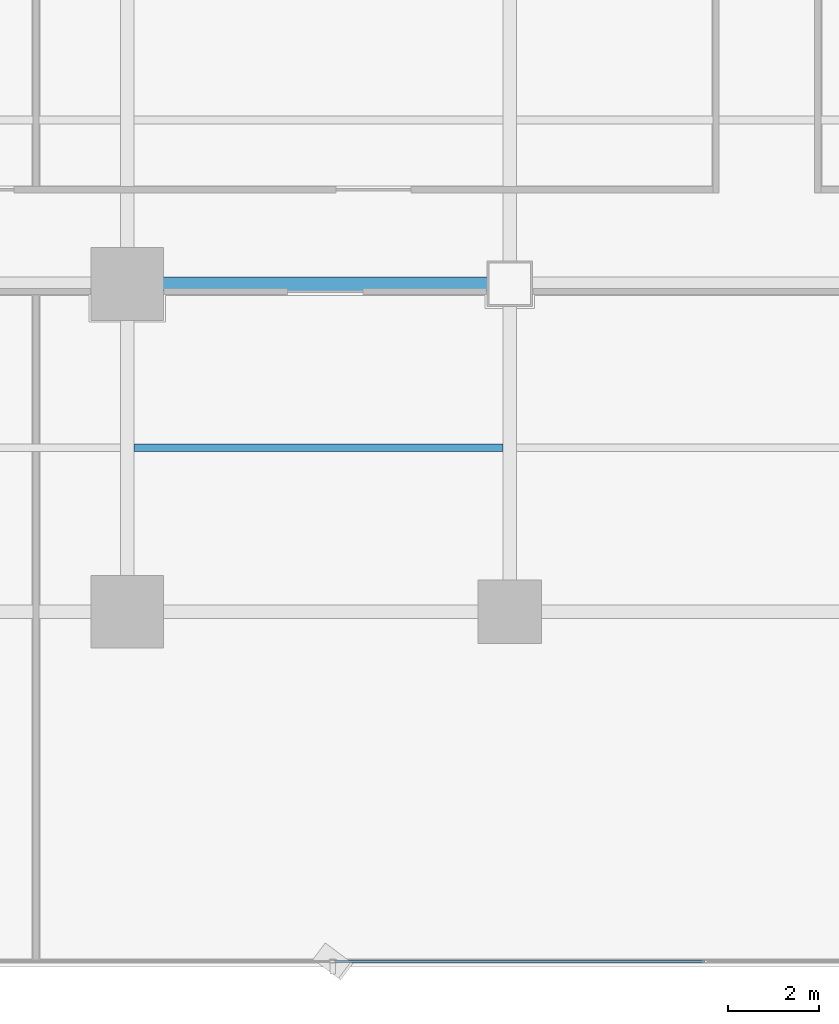
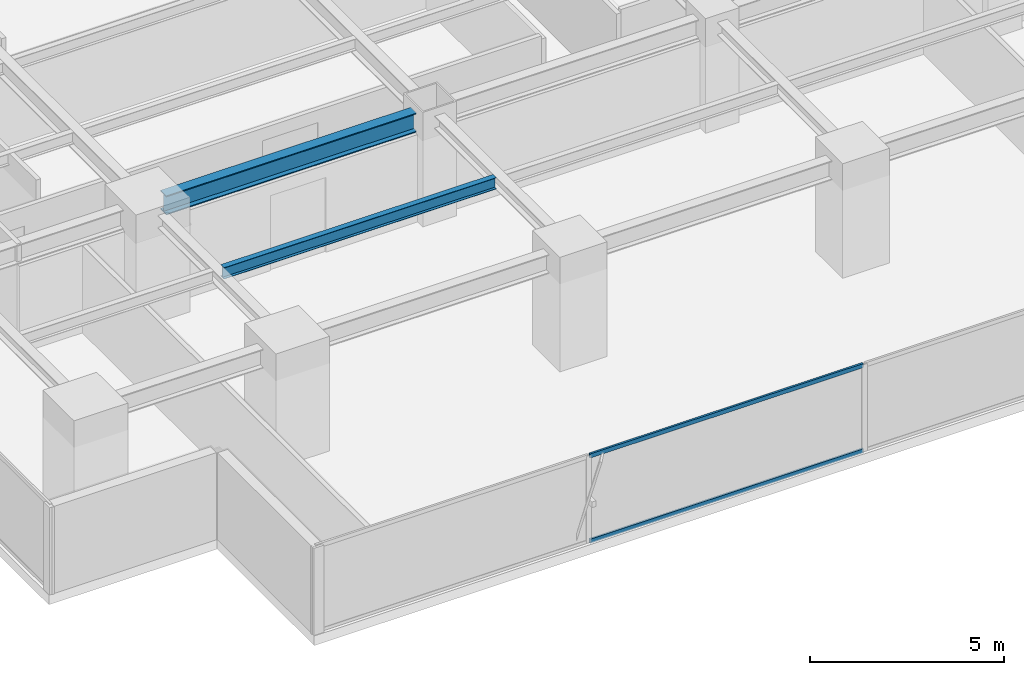
# One storey, part 5 of 36: 2 beams, 2 members, 1 element without a shape of its own.
"""IFC4 building model written with IfcOpenShell, lengths in metres."""

from ifc_helpers import new_model, si_unit, direction, frame, origin, origin_2d, place, context, subcontext, project, spatial, hollow_rectangle, i_section, extrude, source, transform, mapped, material, layer, layer_set, material_profile, profile_set, type_object, element, aggregate, save


model = new_model("IFC4")

# Units and contexts
model_context = context("Model", 3, precision=1e-05, world=origin(), true_north=direction((0.0, 1.0)))
body_context = subcontext(model_context, "Body", "Model", "MODEL_VIEW")
ifc_project = project(units=[si_unit("LENGTHUNIT", "METRE"), si_unit("AREAUNIT", "SQUARE_METRE"), si_unit("VOLUMEUNIT", "CUBIC_METRE"), si_unit("PLANEANGLEUNIT", "RADIAN"), si_unit("MASSUNIT", "GRAM", prefix="KILO")], contexts=[model_context])

# Site, building, storey
site_placement = place(None, origin())
site = spatial("IfcSite", under=ifc_project, at=site_placement, CompositionType="ELEMENT")
building_placement = place(site_placement, origin())
building = spatial("IfcBuilding", under=site, at=building_placement, Name="Sumidabori Civic Tower", CompositionType="ELEMENT")
storey_placement = place(building_placement, frame((0.0, 0.0, 77.60009765625)))
storey = spatial("IfcBuildingStorey", under=building, at=storey_placement, Name="L19", CompositionType="ELEMENT", Elevation=77.60009765625)

# Beams
ifc_material_1 = material(Name="Steel SN490", Category="steel")
ifc_material_profile_1 = material_profile(ifc_material_1, i_section(OverallWidth=0.300048828125, OverallDepth=0.60009765625, WebThickness=0.015380859375, FlangeThickness=0.030029296875, at=origin_2d()), Name="HE 600 B")
ifc_profile_set_1 = profile_set([ifc_material_profile_1], Name="Steel SN490")
beam_type_1 = type_object("IfcBeamType", Name="BM-GIRD-600", PredefinedType="BEAM", material=ifc_profile_set_1)
shared_shape_1 = source(origin(), body_context, "Body", "SweptSolid", [
    extrude(i_section(OverallWidth=0.300048828125, OverallDepth=0.60009765625, WebThickness=0.015380859375, FlangeThickness=0.030029296875, at=origin_2d()), origin(), (0.0, 0.0, 1.0), 7.440185546875),
])
beam_1_placement = place(storey_placement, frame((-16.320068359375, -10.800048828125, 3.059814453125), z_axis=(1.0, 0.0, 0.0), x_axis=(0.0, 1.0, 0.0)))
element("IfcBeam", 1, at=beam_1_placement, inside=storey, type_object=beam_type_1, Name="Primary Girder L19 GX-08", PredefinedType="BEAM", context=body_context, shape_type="MappedRepresentation", body=[
    mapped(shared_shape_1, transform((0.0, 0.0, 0.0), x_axis=(1.0, 0.0, 0.0), y_axis=(0.0, 1.0, 0.0), z_axis=(0.0, 0.0, 1.0), scale=1.0)),
])
ifc_material_profile_2 = material_profile(ifc_material_1, i_section(OverallWidth=0.169921875, OverallDepth=0.360107421875, WebThickness=0.008056640625, FlangeThickness=0.0126953125, at=origin_2d()), Name="IPE 360")
ifc_profile_set_2 = profile_set([ifc_material_profile_2], Name="Steel SN490")
beam_type_2 = type_object("IfcBeamType", Name="BM-JST-360", PredefinedType="JOIST", material=ifc_profile_set_2)
shared_shape_2 = source(origin(), body_context, "Body", "SweptSolid", [
    extrude(i_section(OverallWidth=0.169921875, OverallDepth=0.360107421875, WebThickness=0.008056640625, FlangeThickness=0.0126953125, at=origin_2d()), origin(), (0.0, 0.0, 1.0), 8.099853515625),
])
beam_2_placement = place(storey_placement, frame((-16.64990234375, -14.39990234375, 3.179931640625), z_axis=(1.0, 0.0, 0.0), x_axis=(0.0, 1.0, 0.0)))
element("IfcBeam", 2, at=beam_2_placement, inside=storey, type_object=beam_type_2, Name="South Bay Floor Joist L19 JSTS-55", PredefinedType="JOIST", context=body_context, shape_type="MappedRepresentation", body=[
    mapped(shared_shape_2, transform((0.0, 0.0, 0.0), x_axis=(1.0, 0.0, 0.0), y_axis=(0.0, 1.0, 0.0), z_axis=(0.0, 0.0, 1.0), scale=1.0)),
])

# Curtain wall, members
ifc_material_2 = material(Name="Anodised Bronze Aluminium AW-6063-T6", Category="aluminium")
ifc_layer = layer(ifc_material_2, 0.179931640625, Name="Anodised Bronze Aluminium AW-6063-T6")
ifc_layer_set = layer_set([ifc_layer], Name="Anodised Bronze Aluminium AW-6063-T6")
curtain_wall_type = type_object("IfcCurtainWallType", Name="CW-SYS-3", PredefinedType="NOTDEFINED", material=ifc_layer_set)
curtain_wall_placement = place(storey_placement, origin())
curtain_wall = element("IfcCurtainWall", 3, at=curtain_wall_placement, inside=storey, type_object=curtain_wall_type, Name="Curtain Wall CW:L19:R01", PredefinedType="NOTDEFINED")
ifc_material_profile_3 = material_profile(ifc_material_2, hollow_rectangle(XDim=0.06005859375, YDim=0.1298828125, WallThickness=0.0048828125, at=origin_2d()), Name="ALU TRANSOM 130x60")
ifc_profile_set_3 = profile_set([ifc_material_profile_3], Name="Anodised Bronze Aluminium AW-6063-T6")
member_type = type_object("IfcMemberType", Name="CW-TRN-130", PredefinedType="USERDEFINED", material=ifc_profile_set_3)
shared_shape_3 = source(origin(), body_context, "Body", "SweptSolid", [
    extrude(hollow_rectangle(XDim=0.06005859375, YDim=0.1298828125, WallThickness=0.0048828125, at=origin_2d()), origin(), (0.0, 0.0, 1.0), 8.123046875),
])
member_1_placement = place(storey_placement, frame((-12.24951171875, -25.679931640625, 0.02978515625), z_axis=(1.0, 0.0, 0.0), x_axis=(0.0, 1.0, 0.0)))
member_1 = element("IfcMember", 4, at=member_1_placement, type_object=member_type, Name="CW-3 transom 2.1", ObjectType="TRANSOM", PredefinedType="USERDEFINED", context=body_context, shape_type="MappedRepresentation", body=[
    mapped(shared_shape_3, transform((0.0, 0.0, 0.0), x_axis=(1.0, 0.0, 0.0), y_axis=(0.0, 1.0, 0.0), z_axis=(0.0, 0.0, 1.0), scale=1.0)),
])
member_2_placement = place(storey_placement, frame((-12.24951171875, -25.679931640625, 2.7099609375), z_axis=(1.0, 0.0, 0.0), x_axis=(0.0, 1.0, 0.0)))
member_2 = element("IfcMember", 5, at=member_2_placement, type_object=member_type, Name="CW-3 transom 2.2", ObjectType="TRANSOM", PredefinedType="USERDEFINED", context=body_context, shape_type="MappedRepresentation", body=[
    mapped(shared_shape_3, transform((0.0, 0.0, 0.0), x_axis=(1.0, 0.0, 0.0), y_axis=(0.0, 1.0, 0.0), z_axis=(0.0, 0.0, 1.0), scale=1.0)),
])
aggregate(curtain_wall, [member_1, member_2])

save(model, "model.ifc")
